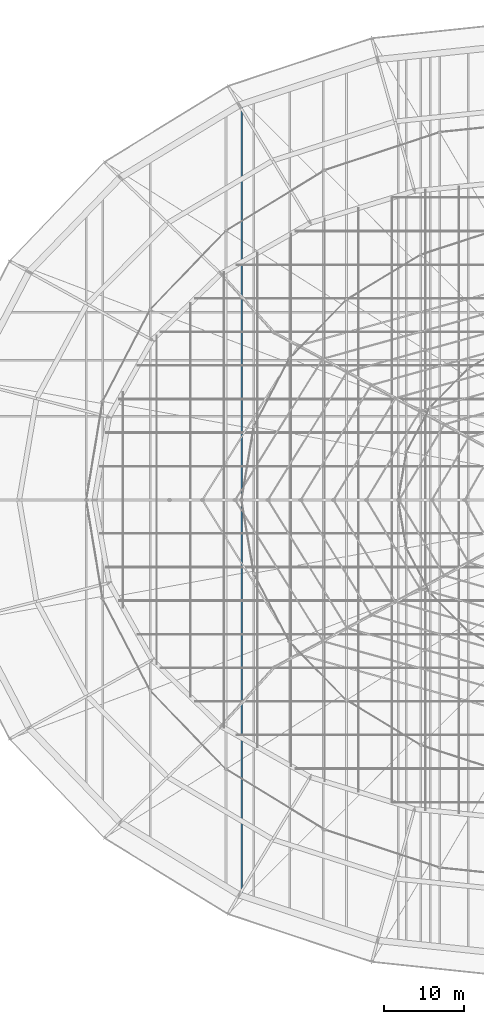
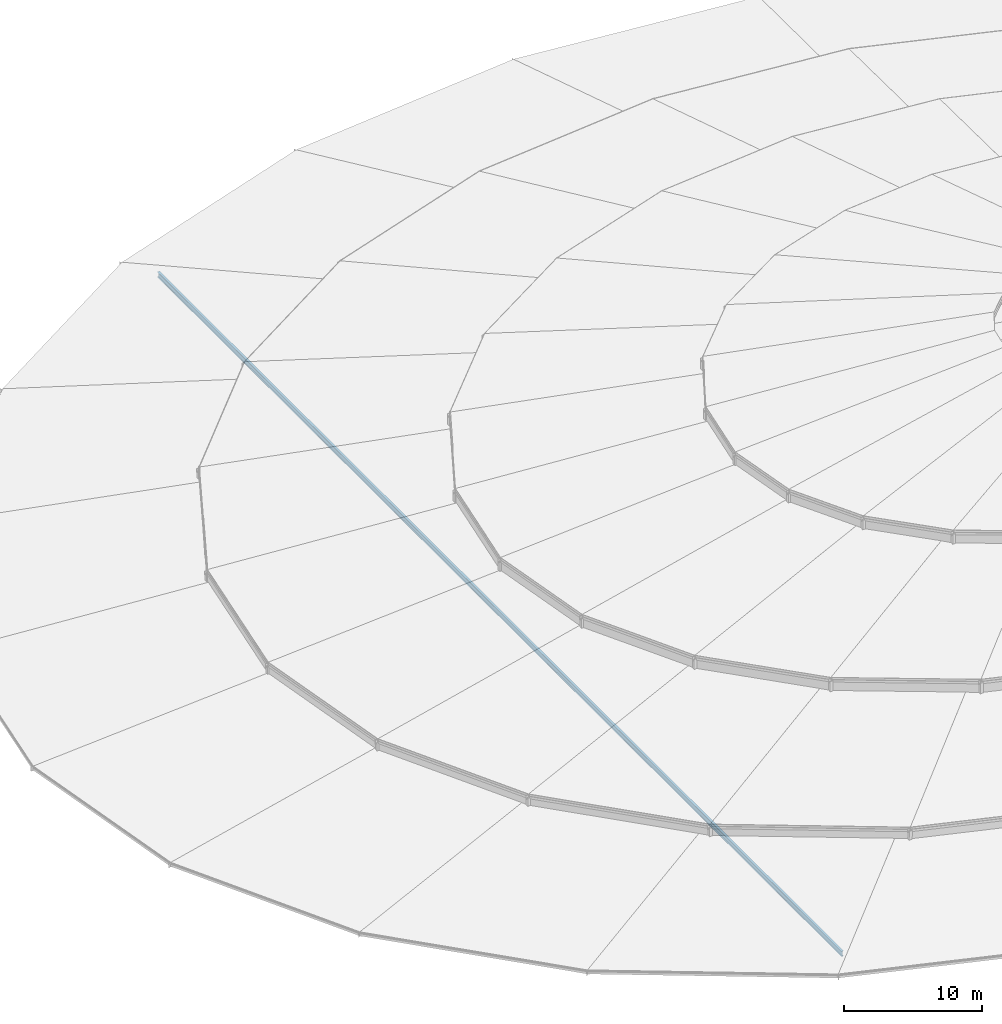
# One storey, part 16 of 184: 1 member.
"""IFC4 building model written with IfcOpenShell, lengths in metres."""

from ifc_helpers import new_model, si_unit, direction, frame, origin, origin_2d, place, context, subcontext, project, spatial, i_section, extrude, material, material_profile, profile_set, type_object, element, save


model = new_model("IFC4")

# Units and contexts
model_context = context("Model", 3, precision=1e-05, world=origin(), true_north=direction((0.0, 1.0)))
body_context = subcontext(model_context, "Body", "Model", "MODEL_VIEW")
ifc_project = project(units=[si_unit("LENGTHUNIT", "METRE"), si_unit("AREAUNIT", "SQUARE_METRE"), si_unit("VOLUMEUNIT", "CUBIC_METRE"), si_unit("PLANEANGLEUNIT", "RADIAN"), si_unit("MASSUNIT", "GRAM", prefix="KILO")], contexts=[model_context])

# Site, building, storey
site_placement = place(None, origin())
site = spatial("IfcSite", under=ifc_project, at=site_placement, CompositionType="ELEMENT")
building_placement = place(site_placement, origin())
building = spatial("IfcBuilding", under=site, at=building_placement, Name="Kalgoora Escarpment Arena", CompositionType="ELEMENT")
storey_placement = place(building_placement, frame((0.0, 0.0, 27.60009765625)))
storey = spatial("IfcBuildingStorey", under=building, at=storey_placement, Name="Roof Level", CompositionType="ELEMENT", Elevation=27.60009765625)

# Member
ifc_material = material(Name="Structural steel AS/NZS 3679 (300 MPa)", Category="steel")
ifc_material_profile = material_profile(ifc_material, i_section(OverallWidth=0.19091796875, OverallDepth=0.4599609375, WebThickness=0.010009765625, FlangeThickness=0.01611328125, at=origin_2d()))
ifc_profile_set = profile_set([ifc_material_profile], Name="Structural steel AS/NZS 3679 (300 MPa)")
member_type = type_object("IfcMemberType", Name="MEM-CARRIER-CHORD", PredefinedType="CHORD", material=ifc_profile_set)
member_placement = place(storey_placement, frame((56.800048828125, 14.537841796875, -1.02001953125), z_axis=(0.0, 1.0, 0.0), x_axis=(-1.0, 0.0, 0.0)))
element("IfcMember", 1, at=member_placement, inside=storey, type_object=member_type, Name="Petal RP3 spanning carrier chord C13", PredefinedType="CHORD", context=body_context, shape_type="SweptSolid", body=[
    extrude(i_section(OverallWidth=0.19091796875, OverallDepth=0.4599609375, WebThickness=0.010009765625, FlangeThickness=0.01611328125, at=origin_2d()), origin(), (0.0, 0.0, 1.0), 98.92431640625),
])

save(model, "model.ifc")
